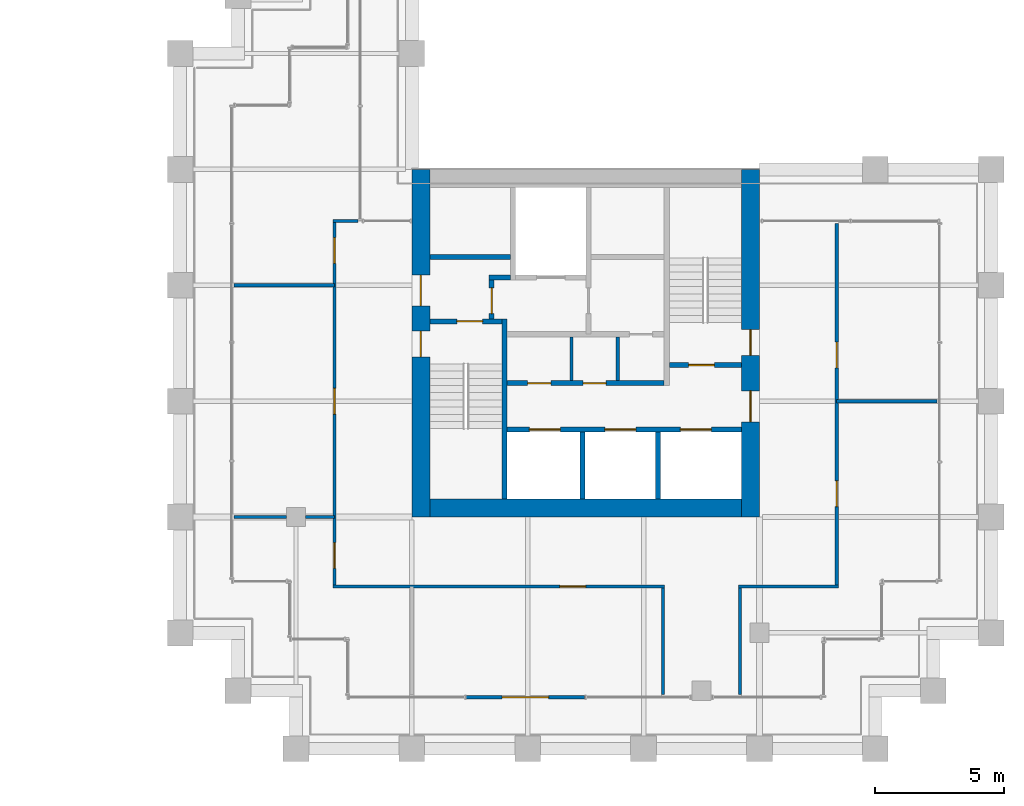
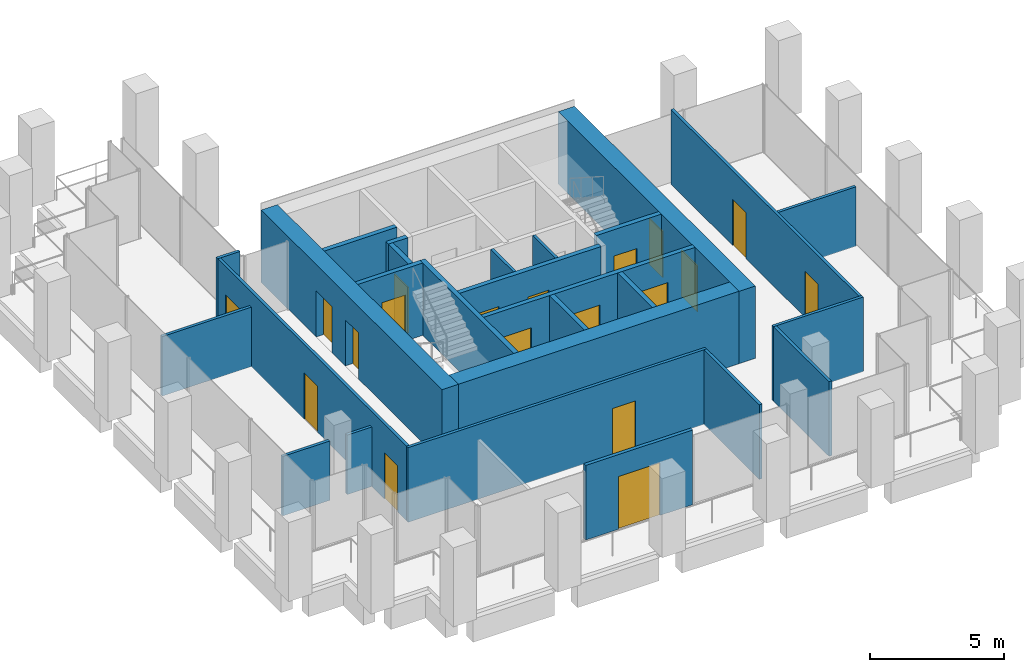
# One storey, part 43 of 46: 27 walls, 19 doors, 19 openings.
"""IFC4 building model written with IfcOpenShell, lengths in metres."""

from ifc_helpers import new_model, si_unit, direction, frame, frame_2d, origin, place, context, subcontext, project, spatial, rectangle, extrude, material, layer, layer_set, type_object, element, fill, save


model = new_model("IFC4")

# Units and contexts
model_context = context("Model", 3, precision=1e-05, world=origin(), true_north=direction((0.0, 1.0)))
body_context = subcontext(model_context, "Body", "Model", "MODEL_VIEW")
ifc_project = project(units=[si_unit("LENGTHUNIT", "METRE"), si_unit("AREAUNIT", "SQUARE_METRE"), si_unit("VOLUMEUNIT", "CUBIC_METRE"), si_unit("PLANEANGLEUNIT", "RADIAN"), si_unit("MASSUNIT", "GRAM", prefix="KILO")], contexts=[model_context])

# Site, building, storey
site_placement = place(None, origin())
site = spatial("IfcSite", under=ifc_project, at=site_placement, CompositionType="ELEMENT")
building_placement = place(site_placement, origin())
building = spatial("IfcBuilding", under=site, at=building_placement, Name="Altepetl Exchange Towers", CompositionType="ELEMENT")
storey_placement = place(building_placement, frame((0.0, 0.0, 135.199951171875)))
storey = spatial("IfcBuildingStorey", under=building, at=storey_placement, Name="L33", CompositionType="ELEMENT", Elevation=135.199951171875)

# Wall, openings, doors
ifc_material_1 = material(Name="Concrete C70/85", Category="concrete")
ifc_layer_1 = layer(ifc_material_1, 0.699951171875)
ifc_layer_set_1 = layer_set([ifc_layer_1], Name="Concrete C70/85")
wall_type_1 = type_object("IfcWallType", Name="Core wall 700 reinforced concrete", PredefinedType="SHEAR", material=ifc_layer_set_1)
wall_1_placement = place(storey_placement, frame((116.64990234375, 36.0, 0.0), z_axis=(0.0, 0.0, 1.0), x_axis=(0.0, 1.0, 0.0)))
wall_1 = element("IfcWall", 1, at=wall_1_placement, inside=storey, type_object=wall_type_1, Name="wall:B:L33:K-coreE", PredefinedType="SHEAR", context=body_context, shape_type="SweptSolid", body=[
    extrude(rectangle(XDim=13.5, YDim=0.699951171875, at=frame_2d((6.75, 0.0))), origin(), (0.0, 0.0, 1.0), 3.300048828125),
])
opening_1_placement = place(wall_1_placement, frame((3.699951171875, 0.0, 0.0)))
opening_1 = element("IfcOpeningElement", 2, at=opening_1_placement, cuts=wall_1, Name="Opening L33.B61", PredefinedType="OPENING", context=body_context, shape_type="SweptSolid", body=[
    extrude(rectangle(XDim=1.199951171875, YDim=2.10009765625, at=frame_2d((0.60009765625, 1.050048828125))), frame((0.0, 0.35986328125, 0.0), z_axis=(0.0, -1.0, 0.0), x_axis=(1.0, 0.0, 0.0)), (0.0, 0.0, 1.0), 0.719970703125),
])
opening_2_placement = place(wall_1_placement, frame((6.27490234375, 0.0, 0.0)))
opening_2 = element("IfcOpeningElement", 3, at=opening_2_placement, cuts=wall_1, Name="Opening L33.B65", PredefinedType="OPENING", context=body_context, shape_type="SweptSolid", body=[
    extrude(rectangle(XDim=1.0, YDim=2.10009765625, at=frame_2d((0.5, 1.050048828125))), frame((0.0, 0.35986328125, 0.0), z_axis=(0.0, -1.0, 0.0), x_axis=(1.0, 0.0, 0.0)), (0.0, 0.0, 1.0), 0.719970703125),
])
ifc_material_2 = material(Name="Steel and timber fire door", Category="steel")
door_type_1 = type_object("IfcDoorType", Name="Fire door 1000 x 2100 stair and lobby", OperationType="SINGLE_SWING_LEFT", PredefinedType="DOOR", material=ifc_material_2)
door_1_placement = place(opening_2_placement, origin())
door_1 = element("IfcDoor", 4, at=door_1_placement, inside=storey, type_object=door_type_1, Name="door:B:L33:K-dS2x", OperationType="SINGLE_SWING_LEFT", OverallHeight=2.10009765625, OverallWidth=1.0, PredefinedType="DOOR", context=body_context, shape_type="SweptSolid", body=[
    extrude(rectangle(XDim=1.0, YDim=2.10009765625, at=frame_2d((0.5, 1.050048828125))), frame((0.0, 0.02490234375, 0.0), z_axis=(0.0, -1.0, 0.0), x_axis=(1.0, 0.0, 0.0)), (0.0, 0.0, 1.0), 0.050048828125),
])
fill(opening_2, door_1)
door_type_2 = type_object("IfcDoorType", Name="Fire door 1200 x 2100 lobby entry", OperationType="SINGLE_SWING_LEFT", PredefinedType="DOOR", material=ifc_material_2)
door_2_placement = place(opening_1_placement, origin())
door_2 = element("IfcDoor", 5, at=door_2_placement, inside=storey, type_object=door_type_2, Name="door:B:L33:K-dLSE", OperationType="SINGLE_SWING_RIGHT", OverallHeight=2.10009765625, OverallWidth=1.199951171875, PredefinedType="DOOR", context=body_context, shape_type="SweptSolid", body=[
    extrude(rectangle(XDim=1.199951171875, YDim=2.10009765625, at=frame_2d((0.60009765625, 1.050048828125))), frame((0.0, 0.02490234375, 0.0), z_axis=(0.0, -1.0, 0.0), x_axis=(1.0, 0.0, 0.0)), (0.0, 0.0, 1.0), 0.050048828125),
])
fill(opening_1, door_2)

# Wall
wall_2_placement = place(storey_placement, frame((104.199951171875, 36.35009765625, 0.0)))
element("IfcWall", 6, at=wall_2_placement, inside=storey, type_object=wall_type_1, Name="wall:B:L33:K-coreS", PredefinedType="SHEAR", context=body_context, shape_type="SweptSolid", body=[
    extrude(rectangle(XDim=12.10009765625, YDim=0.699951171875, at=frame_2d((6.050048828125, 0.0))), origin(), (0.0, 0.0, 1.0), 3.300048828125),
])

# Wall, openings, doors
wall_3_placement = place(storey_placement, frame((103.85009765625, 36.0, 0.0), z_axis=(0.0, 0.0, 1.0), x_axis=(0.0, 1.0, 0.0)))
wall_3 = element("IfcWall", 7, at=wall_3_placement, inside=storey, type_object=wall_type_1, Name="wall:B:L33:K-coreW", PredefinedType="SHEAR", context=body_context, shape_type="SweptSolid", body=[
    extrude(rectangle(XDim=13.5, YDim=0.699951171875, at=frame_2d((6.75, 0.0))), origin(), (0.0, 0.0, 1.0), 3.300048828125),
])
opening_3_placement = place(wall_3_placement, frame((8.199951171875, 0.0, 0.0)))
opening_3 = element("IfcOpeningElement", 8, at=opening_3_placement, cuts=wall_3, Name="Opening L33.B60", PredefinedType="OPENING", context=body_context, shape_type="SweptSolid", body=[
    extrude(rectangle(XDim=1.199951171875, YDim=2.10009765625, at=frame_2d((0.60009765625, 1.050048828125))), frame((0.0, 0.35986328125, 0.0), z_axis=(0.0, -1.0, 0.0), x_axis=(1.0, 0.0, 0.0)), (0.0, 0.0, 1.0), 0.719970703125),
])
opening_4_placement = place(wall_3_placement, frame((6.22509765625, 0.0, 0.0)))
opening_4 = element("IfcOpeningElement", 9, at=opening_4_placement, cuts=wall_3, Name="Opening L33.B63", PredefinedType="OPENING", context=body_context, shape_type="SweptSolid", body=[
    extrude(rectangle(XDim=1.0, YDim=2.10009765625, at=frame_2d((0.5, 1.050048828125))), frame((0.0, 0.35986328125, 0.0), z_axis=(0.0, -1.0, 0.0), x_axis=(1.0, 0.0, 0.0)), (0.0, 0.0, 1.0), 0.719970703125),
])
door_3_placement = place(opening_4_placement, frame((1.0, 0.0, 0.0), x_axis=(-1.0, 0.0, 0.0)))
door_3 = element("IfcDoor", 10, at=door_3_placement, inside=storey, type_object=door_type_1, Name="door:B:L33:K-dS1x", OperationType="SINGLE_SWING_RIGHT", OverallHeight=2.10009765625, OverallWidth=1.0, PredefinedType="DOOR", context=body_context, shape_type="SweptSolid", body=[
    extrude(rectangle(XDim=1.0, YDim=2.10009765625, at=frame_2d((0.5, 1.050048828125))), frame((0.0, 0.02490234375, 0.0), z_axis=(0.0, -1.0, 0.0), x_axis=(1.0, 0.0, 0.0)), (0.0, 0.0, 1.0), 0.050048828125),
])
fill(opening_4, door_3)
door_4_placement = place(opening_3_placement, frame((1.199951171875, 0.0, 0.0), x_axis=(-1.0, 0.0, 0.0)))
door_4 = element("IfcDoor", 11, at=door_4_placement, inside=storey, type_object=door_type_2, Name="door:B:L33:K-dLNW", OperationType="SINGLE_SWING_RIGHT", OverallHeight=2.10009765625, OverallWidth=1.199951171875, PredefinedType="DOOR", context=body_context, shape_type="SweptSolid", body=[
    extrude(rectangle(XDim=1.199951171875, YDim=2.10009765625, at=frame_2d((0.60009765625, 1.050048828125))), frame((0.0, 0.02490234375, 0.0), z_axis=(0.0, -1.0, 0.0), x_axis=(1.0, 0.0, 0.0)), (0.0, 0.0, 1.0), 0.050048828125),
])
fill(opening_3, door_4)

# Wall, opening, door
ifc_material_3 = material(Name="Aluminium composite cladding", Category="aluminium")
ifc_layer_2 = layer(ifc_material_3, 0.14990234375)
ifc_layer_set_2 = layer_set([ifc_layer_2], Name="Aluminium composite cladding")
wall_type_2 = type_object("IfcWallType", Name="Infill wall 150 aluminium panel", PredefinedType="SOLIDWALL", material=ifc_layer_set_2)
wall_4_placement = place(storey_placement, frame((105.606201171875, 29.0, 0.0)))
wall_4 = element("IfcWall", 12, at=wall_4_placement, inside=storey, type_object=wall_type_2, Name="Loggia door bay wall", PredefinedType="SOLIDWALL", context=body_context, shape_type="SweptSolid", body=[
    extrude(rectangle(XDim=4.606201171875, YDim=0.14990234375, at=frame_2d((2.30322265625, 0.0))), origin(), (0.0, 0.0, 1.0), 3.400146484375),
])
opening_5_placement = place(wall_4_placement, frame((1.403076171875, 0.0, 0.0)))
opening_5 = element("IfcOpeningElement", 13, at=opening_5_placement, cuts=wall_4, Name="Opening L33.B90", PredefinedType="OPENING", context=body_context, shape_type="SweptSolid", body=[
    extrude(rectangle(XDim=1.800048828125, YDim=2.39990234375, at=frame_2d((0.89990234375, 1.199951171875))), frame((0.0, 0.0849609375, 0.0), z_axis=(0.0, -1.0, 0.0), x_axis=(1.0, 0.0, 0.0)), (0.0, 0.0, 1.0), 0.169921875),
])
ifc_material_4 = material(Name="Aluminium 6063-T6 and glass", Category="aluminium")
door_type_3 = type_object("IfcDoorType", Name="Glazed door pair 1800x2400", OperationType="DOUBLE_DOOR_DOUBLE_SWING", PredefinedType="NOTDEFINED", material=ifc_material_4)
door_5_placement = place(opening_5_placement, frame((1.800048828125, 0.0, 0.0), x_axis=(-1.0, 0.0, 0.0)))
door_5 = element("IfcDoor", 14, at=door_5_placement, inside=storey, type_object=door_type_3, Name="Loggia door", OperationType="DOUBLE_DOOR_DOUBLE_SWING", OverallHeight=2.39990234375, OverallWidth=1.800048828125, PredefinedType="NOTDEFINED", context=body_context, shape_type="SweptSolid", body=[
    extrude(rectangle(XDim=1.800048828125, YDim=2.39990234375, at=frame_2d((0.89990234375, 1.199951171875))), frame((0.0, 0.02490234375, 0.0), z_axis=(0.0, -1.0, 0.0), x_axis=(1.0, 0.0, 0.0)), (0.0, 0.0, 1.0), 0.050048828125),
])
fill(opening_5, door_5)

# Wall
ifc_material_5 = material(Name="Concrete blockwork", Category="masonry")
ifc_layer_3 = layer(ifc_material_5, 0.199951171875)
ifc_layer_set_3 = layer_set([ifc_layer_3], Name="Concrete blockwork")
wall_type_3 = type_object("IfcWallType", Name="Lobby wall 200 blockwork", PredefinedType="PARTITIONING", material=ifc_layer_set_3)
wall_5_placement = place(storey_placement, frame((106.5, 45.300048828125, 0.0)))
element("IfcWall", 15, at=wall_5_placement, inside=storey, type_object=wall_type_3, Name="wall:B:L33:K-ffNw", PredefinedType="PARTITIONING", context=body_context, shape_type="SweptSolid", body=[
    extrude(rectangle(XDim=0.833251953125, YDim=0.199951171875, at=frame_2d((0.41650390625, 0.0))), origin(), (0.0, 0.0, 1.0), 3.300048828125),
])

# Wall, opening, door
wall_6_placement = place(storey_placement, frame((106.60009765625, 43.699951171875, 0.0), z_axis=(0.0, 0.0, 1.0), x_axis=(0.0, 1.0, 0.0)))
wall_6 = element("IfcWall", 16, at=wall_6_placement, inside=storey, type_object=wall_type_3, Name="wall:B:L33:K-ffW", PredefinedType="PARTITIONING", context=body_context, shape_type="SweptSolid", body=[
    extrude(rectangle(XDim=1.5, YDim=0.199951171875, at=frame_2d((0.75, 0.0))), origin(), (0.0, 0.0, 1.0), 3.300048828125),
])
opening_6_placement = place(wall_6_placement, frame((0.199951171875, 0.0, 0.0)))
opening_6 = element("IfcOpeningElement", 17, at=opening_6_placement, cuts=wall_6, Name="Opening L33.B67", PredefinedType="OPENING", context=body_context, shape_type="SweptSolid", body=[
    extrude(rectangle(XDim=1.0, YDim=2.10009765625, at=frame_2d((0.5, 1.050048828125))), frame((0.0, 0.10986328125, 0.0), z_axis=(0.0, -1.0, 0.0), x_axis=(1.0, 0.0, 0.0)), (0.0, 0.0, 1.0), 0.219970703125),
])
door_6_placement = place(opening_6_placement, frame((1.0, 0.0, 0.0), x_axis=(-1.0, 0.0, 0.0)))
door_6 = element("IfcDoor", 18, at=door_6_placement, inside=storey, type_object=door_type_1, Name="door:B:L33:K-dffW", OperationType="SINGLE_SWING_LEFT", OverallHeight=2.10009765625, OverallWidth=1.0, PredefinedType="DOOR", context=body_context, shape_type="SweptSolid", body=[
    extrude(rectangle(XDim=1.0, YDim=2.10009765625, at=frame_2d((0.5, 1.050048828125))), frame((0.0, 0.02490234375, 0.0), z_axis=(0.0, -1.0, 0.0), x_axis=(1.0, 0.0, 0.0)), (0.0, 0.0, 1.0), 0.050048828125),
])
fill(opening_6, door_6)

# Wall, openings, doors
wall_7_placement = place(storey_placement, frame((107.199951171875, 41.199951171875, 0.0)))
wall_7 = element("IfcWall", 19, at=wall_7_placement, inside=storey, type_object=wall_type_3, Name="wall:B:L33:K-zoneS", PredefinedType="PARTITIONING", context=body_context, shape_type="SweptSolid", body=[
    extrude(rectangle(XDim=6.10009765625, YDim=0.199951171875, at=frame_2d((3.050048828125, 0.0))), origin(), (0.0, 0.0, 1.0), 3.300048828125),
])
opening_7_placement = place(wall_7_placement, frame((0.800048828125, 0.0, 0.0)))
opening_7 = element("IfcOpeningElement", 20, at=opening_7_placement, cuts=wall_7, Name="Opening L33.B68", PredefinedType="OPENING", context=body_context, shape_type="SweptSolid", body=[
    extrude(rectangle(XDim=0.89990234375, YDim=2.10009765625, at=frame_2d((0.449951171875, 1.050048828125))), frame((0.0, 0.10986328125, 0.0), z_axis=(0.0, -1.0, 0.0), x_axis=(1.0, 0.0, 0.0)), (0.0, 0.0, 1.0), 0.219970703125),
])
opening_8_placement = place(wall_7_placement, frame((2.949951171875, 0.0, 0.0)))
opening_8 = element("IfcOpeningElement", 21, at=opening_8_placement, cuts=wall_7, Name="Opening L33.B69", PredefinedType="OPENING", context=body_context, shape_type="SweptSolid", body=[
    extrude(rectangle(XDim=0.89990234375, YDim=2.10009765625, at=frame_2d((0.449951171875, 1.050048828125))), frame((0.0, 0.10986328125, 0.0), z_axis=(0.0, -1.0, 0.0), x_axis=(1.0, 0.0, 0.0)), (0.0, 0.0, 1.0), 0.219970703125),
])
door_type_4 = type_object("IfcDoorType", Name="Fire door 900 x 2100 service room", OperationType="SINGLE_SWING_LEFT", PredefinedType="DOOR", material=ifc_material_2)
door_7_placement = place(opening_7_placement, origin())
door_7 = element("IfcDoor", 22, at=door_7_placement, inside=storey, type_object=door_type_4, Name="door:B:L33:K-dz1", OperationType="SINGLE_SWING_RIGHT", OverallHeight=2.10009765625, OverallWidth=0.89990234375, PredefinedType="DOOR", context=body_context, shape_type="SweptSolid", body=[
    extrude(rectangle(XDim=0.89990234375, YDim=2.10009765625, at=frame_2d((0.449951171875, 1.050048828125))), frame((0.0, 0.02490234375, 0.0), z_axis=(0.0, -1.0, 0.0), x_axis=(1.0, 0.0, 0.0)), (0.0, 0.0, 1.0), 0.050048828125),
])
fill(opening_7, door_7)
door_8_placement = place(opening_8_placement, origin())
door_8 = element("IfcDoor", 23, at=door_8_placement, inside=storey, type_object=door_type_4, Name="door:B:L33:K-dz2", OperationType="SINGLE_SWING_RIGHT", OverallHeight=2.10009765625, OverallWidth=0.89990234375, PredefinedType="DOOR", context=body_context, shape_type="SweptSolid", body=[
    extrude(rectangle(XDim=0.89990234375, YDim=2.10009765625, at=frame_2d((0.449951171875, 1.050048828125))), frame((0.0, 0.02490234375, 0.0), z_axis=(0.0, -1.0, 0.0), x_axis=(1.0, 0.0, 0.0)), (0.0, 0.0, 1.0), 0.050048828125),
])
fill(opening_8, door_8)

# Walls
ifc_material_6 = material(Name="Gypsum board on steel studs", Category="steel")
ifc_layer_4 = layer(ifc_material_6, 0.125)
ifc_layer_set_4 = layer_set([ifc_layer_4], Name="Gypsum board on steel studs")
wall_type_4 = type_object("IfcWallType", Name="Partition 125 gypsum board on steel studs", PredefinedType="PARTITIONING", material=ifc_layer_set_4)
for number, where, z_axis, x_axis, name in (
    (24, (109.699951171875, 41.300048828125, 0.0), (0.0, 0.0, 1.0), (0.0, 1.0, 0.0), "wall:B:L33:K-zp1"),
    (25, (111.5, 41.300048828125, 0.0), (0.0, 0.0, 1.0), (0.0, 1.0, 0.0), "wall:B:L33:K-zp2"),
):
    element("IfcWall", number, at=place(storey_placement, frame(where, z_axis=z_axis, x_axis=x_axis)), inside=storey, type_object=wall_type_4, Name=name, PredefinedType="PARTITIONING", context=body_context, shape_type="SweptSolid", body=[
        extrude(rectangle(XDim=1.699951171875, YDim=0.125, at=frame_2d((0.85009765625, 0.0))), origin(), (0.0, 0.0, 1.0), 3.300048828125),
    ])

# Wall, opening, door
wall_8_placement = place(storey_placement, frame((100.4375, 33.300048828125, 0.0)))
wall_8 = element("IfcWall", 26, at=wall_8_placement, inside=storey, type_object=wall_type_4, Name="wall:B:L33:P01", PredefinedType="PARTITIONING", context=body_context, shape_type="SweptSolid", body=[
    extrude(rectangle(XDim=12.875, YDim=0.125, at=frame_2d((6.4375, 0.0))), origin(), (0.0, 0.0, 1.0), 3.400146484375),
])
opening_9_placement = place(wall_8_placement, frame((8.8115234375, 0.0, 0.0)))
opening_9 = element("IfcOpeningElement", 27, at=opening_9_placement, cuts=wall_8, Name="Opening L33.B03", PredefinedType="OPENING", context=body_context, shape_type="SweptSolid", body=[
    extrude(rectangle(XDim=1.0, YDim=2.10009765625, at=frame_2d((0.5, 1.050048828125))), frame((0.0, 0.072509765625, 0.0), z_axis=(0.0, -1.0, 0.0), x_axis=(1.0, 0.0, 0.0)), (0.0, 0.0, 1.0), 0.14501953125),
])
door_type_5 = type_object("IfcDoorType", Name="Fire door 1000 x 2100 single leaf", OperationType="SINGLE_SWING_LEFT", PredefinedType="DOOR", material=ifc_material_2)
door_9_placement = place(opening_9_placement, frame((1.0, 0.0, 0.0), x_axis=(-1.0, 0.0, 0.0)))
door_9 = element("IfcDoor", 28, at=door_9_placement, inside=storey, type_object=door_type_5, Name="door:B:L33:03", OperationType="SINGLE_SWING_LEFT", OverallHeight=2.10009765625, OverallWidth=1.0, PredefinedType="DOOR", context=body_context, shape_type="SweptSolid", body=[
    extrude(rectangle(XDim=1.0, YDim=2.10009765625, at=frame_2d((0.5, 1.050048828125))), frame((0.0, 0.02490234375, 0.0), z_axis=(0.0, -1.0, 0.0), x_axis=(1.0, 0.0, 0.0)), (0.0, 0.0, 1.0), 0.050048828125),
])
fill(opening_9, door_9)

# Walls
wall_9_placement = place(storey_placement, frame((116.1875, 33.300048828125, 0.0)))
element("IfcWall", 29, at=wall_9_placement, inside=storey, type_object=wall_type_4, Name="wall:B:L33:P02", PredefinedType="PARTITIONING", context=body_context, shape_type="SweptSolid", body=[
    extrude(rectangle(XDim=3.875, YDim=0.125, at=frame_2d((1.9375, 0.0))), origin(), (0.0, 0.0, 1.0), 3.400146484375),
])
wall_10_placement = place(storey_placement, frame((96.60009765625, 36.0, 0.0)))
element("IfcWall", 30, at=wall_10_placement, inside=storey, type_object=wall_type_4, Name="wall:B:L33:P03", PredefinedType="PARTITIONING", context=body_context, shape_type="SweptSolid", body=[
    extrude(rectangle(XDim=2.02490234375, YDim=0.125, at=frame_2d((1.012451171875, 0.0))), origin(), (0.0, 0.0, 1.0), 2.7080078125),
])
wall_11_placement = place(storey_placement, frame((99.375, 36.0, 0.0)))
element("IfcWall", 31, at=wall_11_placement, inside=storey, type_object=wall_type_4, Name="wall:B:L33:P04", PredefinedType="PARTITIONING", context=body_context, shape_type="SweptSolid", body=[
    extrude(rectangle(XDim=1.125, YDim=0.125, at=frame_2d((0.5625, 0.0))), origin(), (0.0, 0.0, 1.0), 2.7080078125),
])
for number, where, name in (
    (32, (120.0, 40.5, 0.0), "wall:B:L33:P05"),
    (33, (96.60009765625, 45.0, 0.0), "wall:B:L33:P06"),
):
    element("IfcWall", number, at=place(storey_placement, frame(where)), inside=storey, type_object=wall_type_4, Name=name, PredefinedType="PARTITIONING", context=body_context, shape_type="SweptSolid", body=[
        extrude(rectangle(XDim=3.89990234375, YDim=0.125, at=frame_2d((1.949951171875, 0.0))), origin(), (0.0, 0.0, 1.0), 2.712158203125),
    ])
wall_12_placement = place(storey_placement, frame((100.4375, 47.5, 0.0)))
element("IfcWall", 34, at=wall_12_placement, inside=storey, type_object=wall_type_4, Name="wall:B:L33:P07", PredefinedType="PARTITIONING", context=body_context, shape_type="SweptSolid", body=[
    extrude(rectangle(XDim=0.96240234375, YDim=0.125, at=frame_2d((0.481201171875, 0.0))), origin(), (0.0, 0.0, 1.0), 3.400146484375),
])

# Wall, openings, doors
wall_13_placement = place(storey_placement, frame((100.5, 33.362548828125, 0.0), z_axis=(0.0, 0.0, 1.0), x_axis=(0.0, 1.0, 0.0)))
wall_13 = element("IfcWall", 35, at=wall_13_placement, inside=storey, type_object=wall_type_4, Name="wall:B:L33:P08", PredefinedType="PARTITIONING", context=body_context, shape_type="SweptSolid", body=[
    extrude(rectangle(XDim=14.074951171875, YDim=0.125, at=frame_2d((7.03759765625, 0.0))), origin(), (0.0, 0.0, 1.0), 3.400146484375),
])
opening_10_placement = place(wall_13_placement, frame((6.637451171875, 0.0, 0.0)))
opening_10 = element("IfcOpeningElement", 36, at=opening_10_placement, cuts=wall_13, Name="Opening L33.B01", PredefinedType="OPENING", context=body_context, shape_type="SweptSolid", body=[
    extrude(rectangle(XDim=1.0, YDim=2.10009765625, at=frame_2d((0.5, 1.050048828125))), frame((0.0, 0.072509765625, 0.0), z_axis=(0.0, -1.0, 0.0), x_axis=(1.0, 0.0, 0.0)), (0.0, 0.0, 1.0), 0.14501953125),
])
opening_11_placement = place(wall_13_placement, frame((0.6474609375, 0.0, 0.0)))
opening_11 = element("IfcOpeningElement", 37, at=opening_11_placement, cuts=wall_13, Name="Opening L33.B02", PredefinedType="OPENING", context=body_context, shape_type="SweptSolid", body=[
    extrude(rectangle(XDim=1.0, YDim=2.10009765625, at=frame_2d((0.5, 1.050048828125))), frame((0.0, 0.072509765625, 0.0), z_axis=(0.0, -1.0, 0.0), x_axis=(1.0, 0.0, 0.0)), (0.0, 0.0, 1.0), 0.14501953125),
])
opening_12_placement = place(wall_13_placement, frame((12.492431640625, 0.0, 0.0)))
opening_12 = element("IfcOpeningElement", 38, at=opening_12_placement, cuts=wall_13, Name="Opening L33.B06", PredefinedType="OPENING", context=body_context, shape_type="SweptSolid", body=[
    extrude(rectangle(XDim=1.0, YDim=2.10009765625, at=frame_2d((0.5, 1.050048828125))), frame((0.0, 0.072509765625, 0.0), z_axis=(0.0, -1.0, 0.0), x_axis=(1.0, 0.0, 0.0)), (0.0, 0.0, 1.0), 0.14501953125),
])
door_10_placement = place(opening_10_placement, origin())
door_10 = element("IfcDoor", 39, at=door_10_placement, inside=storey, type_object=door_type_5, Name="door:B:L33:01", OperationType="SINGLE_SWING_LEFT", OverallHeight=2.10009765625, OverallWidth=1.0, PredefinedType="DOOR", context=body_context, shape_type="SweptSolid", body=[
    extrude(rectangle(XDim=1.0, YDim=2.10009765625, at=frame_2d((0.5, 1.050048828125))), frame((0.0, 0.02490234375, 0.0), z_axis=(0.0, -1.0, 0.0), x_axis=(1.0, 0.0, 0.0)), (0.0, 0.0, 1.0), 0.050048828125),
])
fill(opening_10, door_10)
door_11_placement = place(opening_11_placement, frame((1.0, 0.0, 0.0), x_axis=(-1.0, 0.0, 0.0)))
door_11 = element("IfcDoor", 40, at=door_11_placement, inside=storey, type_object=door_type_5, Name="door:B:L33:02", OperationType="SINGLE_SWING_RIGHT", OverallHeight=2.10009765625, OverallWidth=1.0, PredefinedType="DOOR", context=body_context, shape_type="SweptSolid", body=[
    extrude(rectangle(XDim=1.0, YDim=2.10009765625, at=frame_2d((0.5, 1.050048828125))), frame((0.0, 0.02490234375, 0.0), z_axis=(0.0, -1.0, 0.0), x_axis=(1.0, 0.0, 0.0)), (0.0, 0.0, 1.0), 0.050048828125),
])
fill(opening_11, door_11)
door_12_placement = place(opening_12_placement, origin())
door_12 = element("IfcDoor", 41, at=door_12_placement, inside=storey, type_object=door_type_5, Name="door:B:L33:06", OperationType="SINGLE_SWING_LEFT", OverallHeight=2.10009765625, OverallWidth=1.0, PredefinedType="DOOR", context=body_context, shape_type="SweptSolid", body=[
    extrude(rectangle(XDim=1.0, YDim=2.10009765625, at=frame_2d((0.5, 1.050048828125))), frame((0.0, 0.02490234375, 0.0), z_axis=(0.0, -1.0, 0.0), x_axis=(1.0, 0.0, 0.0)), (0.0, 0.0, 1.0), 0.050048828125),
])
fill(opening_12, door_12)

# Walls
for number, where, z_axis, x_axis, name in (
    (42, (113.25, 29.10009765625, 0.0), (0.0, 0.0, 1.0), (0.0, 1.0, 0.0), "wall:B:L33:P10"),
    (43, (116.25, 29.10009765625, 0.0), (0.0, 0.0, 1.0), (0.0, 1.0, 0.0), "wall:B:L33:P11"),
):
    element("IfcWall", number, at=place(storey_placement, frame(where, z_axis=z_axis, x_axis=x_axis)), inside=storey, type_object=wall_type_4, Name=name, PredefinedType="PARTITIONING", context=body_context, shape_type="SweptSolid", body=[
        extrude(rectangle(XDim=4.137451171875, YDim=0.125, at=frame_2d((2.06884765625, 0.0))), origin(), (0.0, 0.0, 1.0), 3.400146484375),
    ])

# Wall, openings, doors
wall_14_placement = place(storey_placement, frame((120.0, 33.362548828125, 0.0), z_axis=(0.0, 0.0, 1.0), x_axis=(0.0, 1.0, 0.0)))
wall_14 = element("IfcWall", 44, at=wall_14_placement, inside=storey, type_object=wall_type_4, Name="wall:B:L33:P12", PredefinedType="PARTITIONING", context=body_context, shape_type="SweptSolid", body=[
    extrude(rectangle(XDim=14.037353515625, YDim=0.125, at=frame_2d((7.0185546875, 0.0))), origin(), (0.0, 0.0, 1.0), 3.400146484375),
])
opening_13_placement = place(wall_14_placement, frame((3.03759765625, 0.0, 0.0)))
opening_13 = element("IfcOpeningElement", 45, at=opening_13_placement, cuts=wall_14, Name="Opening L33.B04", PredefinedType="OPENING", context=body_context, shape_type="SweptSolid", body=[
    extrude(rectangle(XDim=1.0, YDim=2.10009765625, at=frame_2d((0.5, 1.050048828125))), frame((0.0, 0.072509765625, 0.0), z_axis=(0.0, -1.0, 0.0), x_axis=(1.0, 0.0, 0.0)), (0.0, 0.0, 1.0), 0.14501953125),
])
opening_14_placement = place(wall_14_placement, frame((8.4326171875, 0.0, 0.0)))
opening_14 = element("IfcOpeningElement", 46, at=opening_14_placement, cuts=wall_14, Name="Opening L33.B05", PredefinedType="OPENING", context=body_context, shape_type="SweptSolid", body=[
    extrude(rectangle(XDim=1.0, YDim=2.10009765625, at=frame_2d((0.5, 1.050048828125))), frame((0.0, 0.072509765625, 0.0), z_axis=(0.0, -1.0, 0.0), x_axis=(1.0, 0.0, 0.0)), (0.0, 0.0, 1.0), 0.14501953125),
])
door_13_placement = place(opening_13_placement, frame((1.0, 0.0, 0.0), x_axis=(-1.0, 0.0, 0.0)))
door_13 = element("IfcDoor", 47, at=door_13_placement, inside=storey, type_object=door_type_5, Name="door:B:L33:04", OperationType="SINGLE_SWING_LEFT", OverallHeight=2.10009765625, OverallWidth=1.0, PredefinedType="DOOR", context=body_context, shape_type="SweptSolid", body=[
    extrude(rectangle(XDim=1.0, YDim=2.10009765625, at=frame_2d((0.5, 1.050048828125))), frame((0.0, 0.02490234375, 0.0), z_axis=(0.0, -1.0, 0.0), x_axis=(1.0, 0.0, 0.0)), (0.0, 0.0, 1.0), 0.050048828125),
])
fill(opening_13, door_13)
door_14_placement = place(opening_14_placement, frame((1.0, 0.0, 0.0), x_axis=(-1.0, 0.0, 0.0)))
door_14 = element("IfcDoor", 48, at=door_14_placement, inside=storey, type_object=door_type_5, Name="door:B:L33:05", OperationType="SINGLE_SWING_LEFT", OverallHeight=2.10009765625, OverallWidth=1.0, PredefinedType="DOOR", context=body_context, shape_type="SweptSolid", body=[
    extrude(rectangle(XDim=1.0, YDim=2.10009765625, at=frame_2d((0.5, 1.050048828125))), frame((0.0, 0.02490234375, 0.0), z_axis=(0.0, -1.0, 0.0), x_axis=(1.0, 0.0, 0.0)), (0.0, 0.0, 1.0), 0.050048828125),
])
fill(opening_14, door_14)

# Walls
ifc_material_7 = material(Name="Concrete C40/50", Category="concrete")
ifc_layer_5 = layer(ifc_material_7, 0.199951171875)
ifc_layer_set_5 = layer_set([ifc_layer_5], Name="Concrete C40/50")
wall_type_5 = type_object("IfcWallType", Name="Shaft wall 200 reinforced concrete", PredefinedType="SHEAR", material=ifc_layer_set_5)
for number, where, z_axis, x_axis, name in (
    (49, (110.13330078125, 36.699951171875, 0.0), (0.0, 0.0, 1.0), (0.0, 1.0, 0.0), "wall:B:L33:K-divS1"),
    (50, (113.066650390625, 36.699951171875, 0.0), (0.0, 0.0, 1.0), (0.0, 1.0, 0.0), "wall:B:L33:K-divS2"),
):
    element("IfcWall", number, at=place(storey_placement, frame(where, z_axis=z_axis, x_axis=x_axis)), inside=storey, type_object=wall_type_5, Name=name, PredefinedType="SHEAR", context=body_context, shape_type="SweptSolid", body=[
        extrude(rectangle(XDim=2.60009765625, YDim=0.199951171875, at=frame_2d((1.300048828125, 0.0))), origin(), (0.0, 0.0, 1.0), 3.300048828125),
    ])
wall_15_placement = place(storey_placement, frame((104.199951171875, 46.10009765625, 0.0)))
element("IfcWall", 51, at=wall_15_placement, inside=storey, type_object=wall_type_5, Name="wall:B:L33:K-frontNa", PredefinedType="SHEAR", context=body_context, shape_type="SweptSolid", body=[
    extrude(rectangle(XDim=3.13330078125, YDim=0.199951171875, at=frame_2d((1.566650390625, 0.0))), origin(), (0.0, 0.0, 1.0), 3.300048828125),
])

# Wall, openings, doors
wall_16_placement = place(storey_placement, frame((107.199951171875, 39.39990234375, 0.0)))
wall_16 = element("IfcWall", 52, at=wall_16_placement, inside=storey, type_object=wall_type_5, Name="wall:B:L33:K-frontS", PredefinedType="SHEAR", context=body_context, shape_type="SweptSolid", body=[
    extrude(rectangle(XDim=9.10009765625, YDim=0.199951171875, at=frame_2d((4.550048828125, 0.0))), origin(), (0.0, 0.0, 1.0), 3.300048828125),
])
opening_15_placement = place(wall_16_placement, frame((0.86669921875, 0.0, 0.0)))
opening_15 = element("IfcOpeningElement", 53, at=opening_15_placement, cuts=wall_16, Name="Opening L33.B72", PredefinedType="OPENING", context=body_context, shape_type="SweptSolid", body=[
    extrude(rectangle(XDim=1.199951171875, YDim=2.10009765625, at=frame_2d((0.60009765625, 1.050048828125))), frame((0.0, 0.10986328125, 0.0), z_axis=(0.0, -1.0, 0.0), x_axis=(1.0, 0.0, 0.0)), (0.0, 0.0, 1.0), 0.219970703125),
])
opening_16_placement = place(wall_16_placement, frame((3.800048828125, 0.0, 0.0)))
opening_16 = element("IfcOpeningElement", 54, at=opening_16_placement, cuts=wall_16, Name="Opening L33.B73", PredefinedType="OPENING", context=body_context, shape_type="SweptSolid", body=[
    extrude(rectangle(XDim=1.199951171875, YDim=2.10009765625, at=frame_2d((0.60009765625, 1.050048828125))), frame((0.0, 0.10986328125, 0.0), z_axis=(0.0, -1.0, 0.0), x_axis=(1.0, 0.0, 0.0)), (0.0, 0.0, 1.0), 0.219970703125),
])
opening_17_placement = place(wall_16_placement, frame((6.7333984375, 0.0, 0.0)))
opening_17 = element("IfcOpeningElement", 55, at=opening_17_placement, cuts=wall_16, Name="Opening L33.B74", PredefinedType="OPENING", context=body_context, shape_type="SweptSolid", body=[
    extrude(rectangle(XDim=1.199951171875, YDim=2.10009765625, at=frame_2d((0.60009765625, 1.050048828125))), frame((0.0, 0.10986328125, 0.0), z_axis=(0.0, -1.0, 0.0), x_axis=(1.0, 0.0, 0.0)), (0.0, 0.0, 1.0), 0.219970703125),
])
ifc_material_8 = material(Name="Stainless steel", Category="steel")
door_type_6 = type_object("IfcDoorType", Name="Lift landing door 1200 x 2100", OperationType="SLIDING_TO_LEFT", PredefinedType="DOOR", material=ifc_material_8)
door_15_placement = place(opening_15_placement, origin())
door_15 = element("IfcDoor", 56, at=door_15_placement, inside=storey, type_object=door_type_6, Name="Landing door P1", OperationType="SLIDING_TO_LEFT", OverallHeight=2.10009765625, OverallWidth=1.199951171875, PredefinedType="DOOR", context=body_context, shape_type="SweptSolid", body=[
    extrude(rectangle(XDim=1.199951171875, YDim=2.10009765625, at=frame_2d((0.60009765625, 1.050048828125))), frame((0.0, 0.02490234375, 0.0), z_axis=(0.0, -1.0, 0.0), x_axis=(1.0, 0.0, 0.0)), (0.0, 0.0, 1.0), 0.050048828125),
])
fill(opening_15, door_15)
door_16_placement = place(opening_16_placement, origin())
door_16 = element("IfcDoor", 57, at=door_16_placement, inside=storey, type_object=door_type_6, Name="Landing door P2", OperationType="SLIDING_TO_LEFT", OverallHeight=2.10009765625, OverallWidth=1.199951171875, PredefinedType="DOOR", context=body_context, shape_type="SweptSolid", body=[
    extrude(rectangle(XDim=1.199951171875, YDim=2.10009765625, at=frame_2d((0.60009765625, 1.050048828125))), frame((0.0, 0.02490234375, 0.0), z_axis=(0.0, -1.0, 0.0), x_axis=(1.0, 0.0, 0.0)), (0.0, 0.0, 1.0), 0.050048828125),
])
fill(opening_16, door_16)
door_17_placement = place(opening_17_placement, origin())
door_17 = element("IfcDoor", 58, at=door_17_placement, inside=storey, type_object=door_type_6, Name="Landing door P3", OperationType="SLIDING_TO_LEFT", OverallHeight=2.10009765625, OverallWidth=1.199951171875, PredefinedType="DOOR", context=body_context, shape_type="SweptSolid", body=[
    extrude(rectangle(XDim=1.199951171875, YDim=2.10009765625, at=frame_2d((0.60009765625, 1.050048828125))), frame((0.0, 0.02490234375, 0.0), z_axis=(0.0, -1.0, 0.0), x_axis=(1.0, 0.0, 0.0)), (0.0, 0.0, 1.0), 0.050048828125),
])
fill(opening_17, door_17)

# Wall
ifc_layer_6 = layer(ifc_material_7, 0.199951171875)
ifc_layer_set_6 = layer_set([ifc_layer_6], Name="Concrete C40/50")
wall_type_6 = type_object("IfcWallType", Name="Stair wall 200 reinforced concrete", PredefinedType="SHEAR", material=ifc_layer_set_6)
wall_17_placement = place(storey_placement, frame((107.10009765625, 36.699951171875, 0.0), z_axis=(0.0, 0.0, 1.0), x_axis=(0.0, 1.0, 0.0)))
element("IfcWall", 59, at=wall_17_placement, inside=storey, type_object=wall_type_6, Name="wall:B:L33:K-stS1E", PredefinedType="SHEAR", context=body_context, shape_type="SweptSolid", body=[
    extrude(rectangle(XDim=7.0, YDim=0.199951171875, at=frame_2d((3.5, 0.0))), origin(), (0.0, 0.0, 1.0), 3.300048828125),
])

# Wall, opening, door
wall_18_placement = place(storey_placement, frame((104.199951171875, 43.60009765625, 0.0)))
wall_18 = element("IfcWall", 60, at=wall_18_placement, inside=storey, type_object=wall_type_6, Name="wall:B:L33:K-stS1N", PredefinedType="SHEAR", context=body_context, shape_type="SweptSolid", body=[
    extrude(rectangle(XDim=2.800048828125, YDim=0.199951171875, at=frame_2d((1.39990234375, 0.0))), origin(), (0.0, 0.0, 1.0), 3.300048828125),
])
opening_18_placement = place(wall_18_placement, frame((1.050048828125, 0.0, 0.0)))
opening_18 = element("IfcOpeningElement", 61, at=opening_18_placement, cuts=wall_18, Name="Opening L33.B62", PredefinedType="OPENING", context=body_context, shape_type="SweptSolid", body=[
    extrude(rectangle(XDim=1.0, YDim=2.10009765625, at=frame_2d((0.5, 1.050048828125))), frame((0.0, 0.10986328125, 0.0), z_axis=(0.0, -1.0, 0.0), x_axis=(1.0, 0.0, 0.0)), (0.0, 0.0, 1.0), 0.219970703125),
])
door_18_placement = place(opening_18_placement, frame((1.0, 0.0, 0.0), x_axis=(-1.0, 0.0, 0.0)))
door_18 = element("IfcDoor", 62, at=door_18_placement, inside=storey, type_object=door_type_1, Name="door:B:L33:K-dS1in", OperationType="SINGLE_SWING_LEFT", OverallHeight=2.10009765625, OverallWidth=1.0, PredefinedType="DOOR", context=body_context, shape_type="SweptSolid", body=[
    extrude(rectangle(XDim=1.0, YDim=2.10009765625, at=frame_2d((0.5, 1.050048828125))), frame((0.0, 0.02490234375, 0.0), z_axis=(0.0, -1.0, 0.0), x_axis=(1.0, 0.0, 0.0)), (0.0, 0.0, 1.0), 0.050048828125),
])
fill(opening_18, door_18)

wall_19_placement = place(storey_placement, frame((113.5, 41.89990234375, 0.0)))
wall_19 = element("IfcWall", 63, at=wall_19_placement, inside=storey, type_object=wall_type_6, Name="wall:B:L33:K-stS2S", PredefinedType="SHEAR", context=body_context, shape_type="SweptSolid", body=[
    extrude(rectangle(XDim=2.800048828125, YDim=0.199951171875, at=frame_2d((1.39990234375, 0.0))), origin(), (0.0, 0.0, 1.0), 3.300048828125),
])
opening_19_placement = place(wall_19_placement, frame((0.75, 0.0, 0.0)))
opening_19 = element("IfcOpeningElement", 64, at=opening_19_placement, cuts=wall_19, Name="Opening L33.B64", PredefinedType="OPENING", context=body_context, shape_type="SweptSolid", body=[
    extrude(rectangle(XDim=1.0, YDim=2.10009765625, at=frame_2d((0.5, 1.050048828125))), frame((0.0, 0.10986328125, 0.0), z_axis=(0.0, -1.0, 0.0), x_axis=(1.0, 0.0, 0.0)), (0.0, 0.0, 1.0), 0.219970703125),
])
door_19_placement = place(opening_19_placement, origin())
door_19 = element("IfcDoor", 65, at=door_19_placement, inside=storey, type_object=door_type_1, Name="door:B:L33:K-dS2in", OperationType="SINGLE_SWING_RIGHT", OverallHeight=2.10009765625, OverallWidth=1.0, PredefinedType="DOOR", context=body_context, shape_type="SweptSolid", body=[
    extrude(rectangle(XDim=1.0, YDim=2.10009765625, at=frame_2d((0.5, 1.050048828125))), frame((0.0, 0.02490234375, 0.0), z_axis=(0.0, -1.0, 0.0), x_axis=(1.0, 0.0, 0.0)), (0.0, 0.0, 1.0), 0.050048828125),
])
fill(opening_19, door_19)

save(model, "model.ifc")
